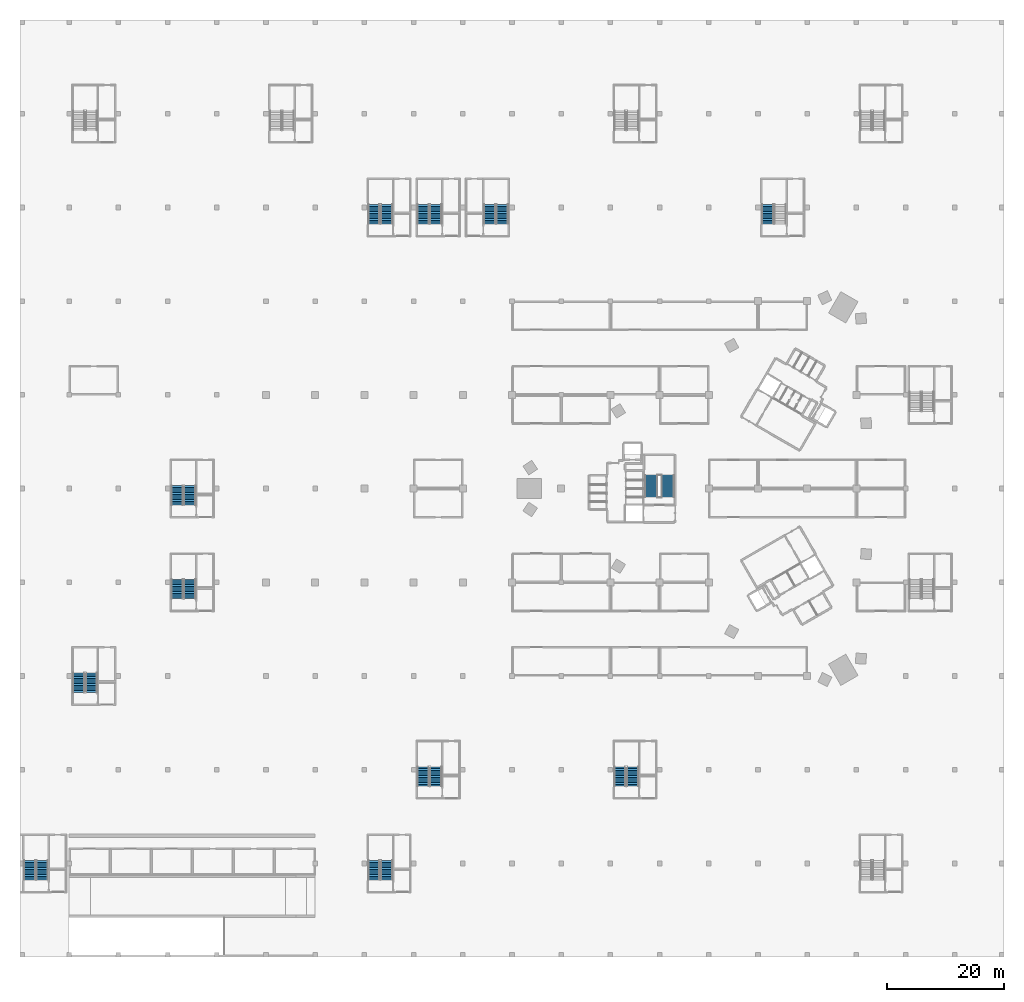
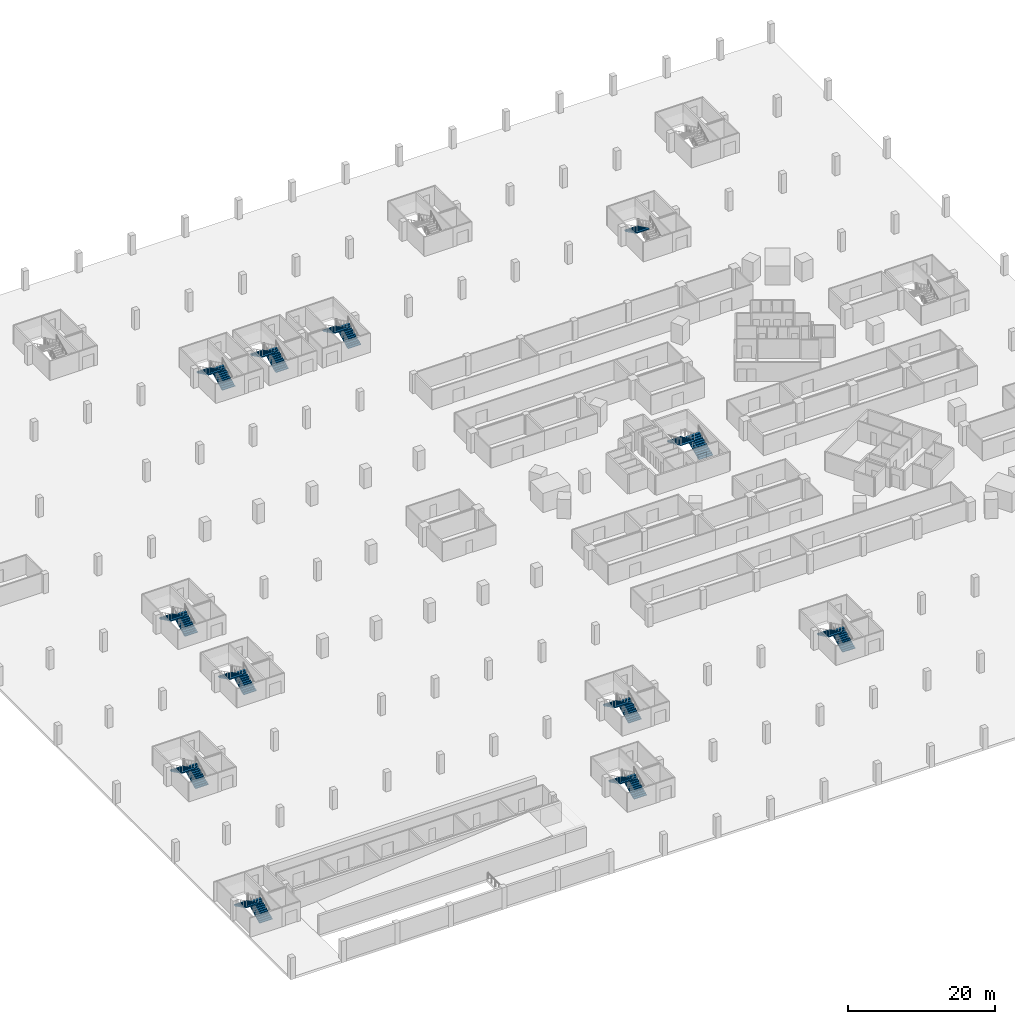
# One storey, part 17 of 37: 23 stair flights, 12 elements without a shape of their own.
"""IFC4 building model written with IfcOpenShell, lengths in metres."""

from ifc_helpers import new_model, si_unit, direction, frame, origin, place, context, subcontext, project, spatial, polyline, outline, extrude, material, layer, layer_set, type_object, element, aggregate, save


model = new_model("IFC4")

# Units and contexts
model_context = context("Model", 3, precision=1e-05, world=origin(), true_north=direction((0.0, 1.0)))
body_context = subcontext(model_context, "Body", "Model", "MODEL_VIEW")
ifc_project = project(units=[si_unit("LENGTHUNIT", "METRE"), si_unit("AREAUNIT", "SQUARE_METRE"), si_unit("VOLUMEUNIT", "CUBIC_METRE"), si_unit("PLANEANGLEUNIT", "RADIAN"), si_unit("MASSUNIT", "GRAM", prefix="KILO")], contexts=[model_context])

# Site, building, storey
site_placement = place(None, origin())
site = spatial("IfcSite", under=ifc_project, at=site_placement, CompositionType="ELEMENT")
building_placement = place(site_placement, origin())
building = spatial("IfcBuilding", under=site, at=building_placement, Name="Tamra Quay Hotel Tower", CompositionType="ELEMENT")
storey_placement = place(building_placement, frame((0.0, 0.0, -7.199951171875)))
storey = spatial("IfcBuildingStorey", under=building, at=storey_placement, Name="B2", CompositionType="ELEMENT", Elevation=-7.199951171875)

# Stair, stair flights
ifc_material_1 = material(Name="Basement exit stair")
stair_type_1 = type_object("IfcStairType", Name="Basement exit stair", PredefinedType="HALF_TURN_STAIR", material=ifc_material_1)
stair_1_placement = place(storey_placement, origin())
stair_1 = element("IfcStair", 1, at=stair_1_placement, inside=storey, type_object=stair_type_1, Name="B2 Basement Exit Stair BS1", PredefinedType="HALF_TURN_STAIR")
ifc_material_2 = material(Name="Concrete M60", Category="concrete")
ifc_layer = layer(ifc_material_2, 0.14990234375)
ifc_layer_set = layer_set([ifc_layer], Name="Concrete M60 basement stair flight 150")
stair_flight_type_1 = type_object("IfcStairFlightType", Name="Concrete M60 basement stair flight 150", PredefinedType="STRAIGHT", material=ifc_layer_set)
stair_flight_1_placement = place(storey_placement, frame((-110.5, -34.800048828125, 0.0), z_axis=(0.0, 0.0, 1.0), x_axis=(0.0, 1.0, 0.0)))
stair_flight_1 = element("IfcStairFlight", 2, at=stair_flight_1_placement, type_object=stair_flight_type_1, Name="BS1 flight 1", NumberOfRisers=12, NumberOfTreads=11, PredefinedType="STRAIGHT", RiserHeight=0.15, TreadLength=0.3, context=body_context, shape_type="SweptSolid", body=[
    extrude(outline(polyline([(0.0, 0.0), (0.0, 0.14990234375), (0.300048828125, 0.14990234375), (0.300048828125, 0.300048828125), (0.60009765625, 0.300048828125), (0.60009765625, 0.449951171875), (0.89990234375, 0.449951171875), (0.89990234375, 0.60009765625), (1.199951171875, 0.60009765625), (1.199951171875, 0.75), (1.5, 0.75), (1.5, 0.89990234375), (1.800048828125, 0.89990234375), (1.800048828125, 1.050048828125), (2.10009765625, 1.050048828125), (2.10009765625, 1.199951171875), (2.39990234375, 1.199951171875), (2.39990234375, 1.35009765625), (2.699951171875, 1.35009765625), (2.699951171875, 1.5), (3.0, 1.5), (3.0, 1.64990234375), (3.300048828125, 1.64990234375), (3.300048828125, 1.800048828125), (3.300048828125, 1.482421875), (0.335205078125, 0.0), (0.0, 0.0)])), frame((0.0, 1.0, 0.0), z_axis=(0.0, -1.0, 0.0), x_axis=(1.0, 0.0, 0.0)), (0.0, 0.0, 1.0), 2.0),
])
stair_flight_2_placement = place(storey_placement, frame((-112.64990234375, -31.5, 1.800048828125), z_axis=(0.0, 0.0, 1.0), x_axis=(0.0, -1.0, 0.0)))
stair_flight_2 = element("IfcStairFlight", 3, at=stair_flight_2_placement, type_object=stair_flight_type_1, Name="BS1 flight 2", NumberOfRisers=12, NumberOfTreads=11, PredefinedType="STRAIGHT", RiserHeight=0.15, TreadLength=0.3, context=body_context, shape_type="SweptSolid", body=[
    extrude(outline(polyline([(0.0, 0.0), (0.0, 0.14990234375), (0.300048828125, 0.14990234375), (0.300048828125, 0.300048828125), (0.60009765625, 0.300048828125), (0.60009765625, 0.449951171875), (0.89990234375, 0.449951171875), (0.89990234375, 0.60009765625), (1.199951171875, 0.60009765625), (1.199951171875, 0.75), (1.5, 0.75), (1.5, 0.89990234375), (1.800048828125, 0.89990234375), (1.800048828125, 1.050048828125), (2.10009765625, 1.050048828125), (2.10009765625, 1.199951171875), (2.39990234375, 1.199951171875), (2.39990234375, 1.35009765625), (2.699951171875, 1.35009765625), (2.699951171875, 1.5), (3.0, 1.5), (3.0, 1.64990234375), (3.300048828125, 1.64990234375), (3.300048828125, 1.800048828125), (3.300048828125, 1.482421875), (0.335205078125, 0.0), (0.0, 0.0)])), frame((0.0, 1.0, 0.0), z_axis=(0.0, -1.0, 0.0), x_axis=(1.0, 0.0, 0.0)), (0.0, 0.0, 1.0), 2.0),
])
aggregate(stair_1, [stair_flight_1, stair_flight_2])

stair_2_placement = place(storey_placement, origin())
stair_2 = element("IfcStair", 4, at=stair_2_placement, inside=storey, type_object=stair_type_1, Name="B2 Basement Exit Stair BS3", PredefinedType="HALF_TURN_STAIR")
stair_flight_3_placement = place(storey_placement, frame((-93.699951171875, -18.800048828125, 0.0), z_axis=(0.0, 0.0, 1.0), x_axis=(0.0, 1.0, 0.0)))
stair_flight_3 = element("IfcStairFlight", 5, at=stair_flight_3_placement, type_object=stair_flight_type_1, Name="BS3 flight 1", NumberOfRisers=12, NumberOfTreads=11, PredefinedType="STRAIGHT", RiserHeight=0.15, TreadLength=0.3, context=body_context, shape_type="SweptSolid", body=[
    extrude(outline(polyline([(0.0, 0.0), (0.0, 0.14990234375), (0.300048828125, 0.14990234375), (0.300048828125, 0.300048828125), (0.60009765625, 0.300048828125), (0.60009765625, 0.449951171875), (0.89990234375, 0.449951171875), (0.89990234375, 0.60009765625), (1.199951171875, 0.60009765625), (1.199951171875, 0.75), (1.5, 0.75), (1.5, 0.89990234375), (1.800048828125, 0.89990234375), (1.800048828125, 1.050048828125), (2.10009765625, 1.050048828125), (2.10009765625, 1.199951171875), (2.39990234375, 1.199951171875), (2.39990234375, 1.35009765625), (2.699951171875, 1.35009765625), (2.699951171875, 1.5), (3.0, 1.5), (3.0, 1.64990234375), (3.300048828125, 1.64990234375), (3.300048828125, 1.800048828125), (3.300048828125, 1.482421875), (0.335205078125, 0.0), (0.0, 0.0)])), frame((0.0, 1.0, 0.0), z_axis=(0.0, -1.0, 0.0), x_axis=(1.0, 0.0, 0.0)), (0.0, 0.0, 1.0), 2.0),
])
stair_flight_4_placement = place(storey_placement, frame((-95.85009765625, -15.5, 1.800048828125), z_axis=(0.0, 0.0, 1.0), x_axis=(0.0, -1.0, 0.0)))
stair_flight_4 = element("IfcStairFlight", 6, at=stair_flight_4_placement, type_object=stair_flight_type_1, Name="BS3 flight 2", NumberOfRisers=12, NumberOfTreads=11, PredefinedType="STRAIGHT", RiserHeight=0.15, TreadLength=0.3, context=body_context, shape_type="SweptSolid", body=[
    extrude(outline(polyline([(0.0, 0.0), (0.0, 0.14990234375), (0.300048828125, 0.14990234375), (0.300048828125, 0.300048828125), (0.60009765625, 0.300048828125), (0.60009765625, 0.449951171875), (0.89990234375, 0.449951171875), (0.89990234375, 0.60009765625), (1.199951171875, 0.60009765625), (1.199951171875, 0.75), (1.5, 0.75), (1.5, 0.89990234375), (1.800048828125, 0.89990234375), (1.800048828125, 1.050048828125), (2.10009765625, 1.050048828125), (2.10009765625, 1.199951171875), (2.39990234375, 1.199951171875), (2.39990234375, 1.35009765625), (2.699951171875, 1.35009765625), (2.699951171875, 1.5), (3.0, 1.5), (3.0, 1.64990234375), (3.300048828125, 1.64990234375), (3.300048828125, 1.800048828125), (3.300048828125, 1.482421875), (0.335205078125, 0.0), (0.0, 0.0)])), frame((0.0, 1.0, 0.0), z_axis=(0.0, -1.0, 0.0), x_axis=(1.0, 0.0, 0.0)), (0.0, 0.0, 1.0), 2.0),
])
aggregate(stair_2, [stair_flight_3, stair_flight_4])

stair_3_placement = place(storey_placement, origin())
stair_3 = element("IfcStair", 7, at=stair_3_placement, inside=storey, type_object=stair_type_1, Name="B2 Basement Exit Stair BS4", PredefinedType="HALF_TURN_STAIR")
stair_flight_5_placement = place(storey_placement, frame((-93.699951171875, -2.800048828125, 0.0), z_axis=(0.0, 0.0, 1.0), x_axis=(0.0, 1.0, 0.0)))
stair_flight_5 = element("IfcStairFlight", 8, at=stair_flight_5_placement, type_object=stair_flight_type_1, Name="BS4 flight 1", NumberOfRisers=12, NumberOfTreads=11, PredefinedType="STRAIGHT", RiserHeight=0.15, TreadLength=0.3, context=body_context, shape_type="SweptSolid", body=[
    extrude(outline(polyline([(0.0, 0.0), (0.0, 0.14990234375), (0.300048828125, 0.14990234375), (0.300048828125, 0.300048828125), (0.60009765625, 0.300048828125), (0.60009765625, 0.449951171875), (0.89990234375, 0.449951171875), (0.89990234375, 0.60009765625), (1.199951171875, 0.60009765625), (1.199951171875, 0.75), (1.5, 0.75), (1.5, 0.89990234375), (1.800048828125, 0.89990234375), (1.800048828125, 1.050048828125), (2.10009765625, 1.050048828125), (2.10009765625, 1.199951171875), (2.39990234375, 1.199951171875), (2.39990234375, 1.35009765625), (2.699951171875, 1.35009765625), (2.699951171875, 1.5), (3.0, 1.5), (3.0, 1.64990234375), (3.300048828125, 1.64990234375), (3.300048828125, 1.800048828125), (3.300048828125, 1.482421875), (0.335205078125, 0.0), (0.0, 0.0)])), frame((0.0, 1.0, 0.0), z_axis=(0.0, -1.0, 0.0), x_axis=(1.0, 0.0, 0.0)), (0.0, 0.0, 1.0), 2.0),
])
stair_flight_6_placement = place(storey_placement, frame((-95.85009765625, 0.5, 1.800048828125), z_axis=(0.0, 0.0, 1.0), x_axis=(0.0, -1.0, 0.0)))
stair_flight_6 = element("IfcStairFlight", 9, at=stair_flight_6_placement, type_object=stair_flight_type_1, Name="BS4 flight 2", NumberOfRisers=12, NumberOfTreads=11, PredefinedType="STRAIGHT", RiserHeight=0.15, TreadLength=0.3, context=body_context, shape_type="SweptSolid", body=[
    extrude(outline(polyline([(0.0, 0.0), (0.0, 0.14990234375), (0.300048828125, 0.14990234375), (0.300048828125, 0.300048828125), (0.60009765625, 0.300048828125), (0.60009765625, 0.449951171875), (0.89990234375, 0.449951171875), (0.89990234375, 0.60009765625), (1.199951171875, 0.60009765625), (1.199951171875, 0.75), (1.5, 0.75), (1.5, 0.89990234375), (1.800048828125, 0.89990234375), (1.800048828125, 1.050048828125), (2.10009765625, 1.050048828125), (2.10009765625, 1.199951171875), (2.39990234375, 1.199951171875), (2.39990234375, 1.35009765625), (2.699951171875, 1.35009765625), (2.699951171875, 1.5), (3.0, 1.5), (3.0, 1.64990234375), (3.300048828125, 1.64990234375), (3.300048828125, 1.800048828125), (3.300048828125, 1.482421875), (0.335205078125, 0.0), (0.0, 0.0)])), frame((0.0, 1.0, 0.0), z_axis=(0.0, -1.0, 0.0), x_axis=(1.0, 0.0, 0.0)), (0.0, 0.0, 1.0), 2.0),
])
aggregate(stair_3, [stair_flight_5, stair_flight_6])

stair_4_placement = place(storey_placement, origin())
stair_4 = element("IfcStair", 10, at=stair_4_placement, inside=storey, type_object=stair_type_1, Name="B2 Basement Exit Stair BS6", PredefinedType="HALF_TURN_STAIR")
stair_flight_7_placement = place(storey_placement, frame((-60.10009765625, -66.800048828125, 0.0), z_axis=(0.0, 0.0, 1.0), x_axis=(0.0, 1.0, 0.0)))
stair_flight_7 = element("IfcStairFlight", 11, at=stair_flight_7_placement, type_object=stair_flight_type_1, Name="BS6 flight 1", NumberOfRisers=12, NumberOfTreads=11, PredefinedType="STRAIGHT", RiserHeight=0.15, TreadLength=0.3, context=body_context, shape_type="SweptSolid", body=[
    extrude(outline(polyline([(0.0, 0.0), (0.0, 0.14990234375), (0.300048828125, 0.14990234375), (0.300048828125, 0.300048828125), (0.60009765625, 0.300048828125), (0.60009765625, 0.449951171875), (0.89990234375, 0.449951171875), (0.89990234375, 0.60009765625), (1.199951171875, 0.60009765625), (1.199951171875, 0.75), (1.5, 0.75), (1.5, 0.89990234375), (1.800048828125, 0.89990234375), (1.800048828125, 1.050048828125), (2.10009765625, 1.050048828125), (2.10009765625, 1.199951171875), (2.39990234375, 1.199951171875), (2.39990234375, 1.35009765625), (2.699951171875, 1.35009765625), (2.699951171875, 1.5), (3.0, 1.5), (3.0, 1.64990234375), (3.300048828125, 1.64990234375), (3.300048828125, 1.800048828125), (3.300048828125, 1.482421875), (0.335205078125, 0.0), (0.0, 0.0)])), frame((0.0, 1.0, 0.0), z_axis=(0.0, -1.0, 0.0), x_axis=(1.0, 0.0, 0.0)), (0.0, 0.0, 1.0), 2.0),
])
stair_flight_8_placement = place(storey_placement, frame((-62.25, -63.5, 1.800048828125), z_axis=(0.0, 0.0, 1.0), x_axis=(0.0, -1.0, 0.0)))
stair_flight_8 = element("IfcStairFlight", 12, at=stair_flight_8_placement, type_object=stair_flight_type_1, Name="BS6 flight 2", NumberOfRisers=12, NumberOfTreads=11, PredefinedType="STRAIGHT", RiserHeight=0.15, TreadLength=0.3, context=body_context, shape_type="SweptSolid", body=[
    extrude(outline(polyline([(0.0, 0.0), (0.0, 0.14990234375), (0.300048828125, 0.14990234375), (0.300048828125, 0.300048828125), (0.60009765625, 0.300048828125), (0.60009765625, 0.449951171875), (0.89990234375, 0.449951171875), (0.89990234375, 0.60009765625), (1.199951171875, 0.60009765625), (1.199951171875, 0.75), (1.5, 0.75), (1.5, 0.89990234375), (1.800048828125, 0.89990234375), (1.800048828125, 1.050048828125), (2.10009765625, 1.050048828125), (2.10009765625, 1.199951171875), (2.39990234375, 1.199951171875), (2.39990234375, 1.35009765625), (2.699951171875, 1.35009765625), (2.699951171875, 1.5), (3.0, 1.5), (3.0, 1.64990234375), (3.300048828125, 1.64990234375), (3.300048828125, 1.800048828125), (3.300048828125, 1.482421875), (0.335205078125, 0.0), (0.0, 0.0)])), frame((0.0, 1.0, 0.0), z_axis=(0.0, -1.0, 0.0), x_axis=(1.0, 0.0, 0.0)), (0.0, 0.0, 1.0), 2.0),
])
aggregate(stair_4, [stair_flight_7, stair_flight_8])

stair_5_placement = place(storey_placement, origin())
stair_5 = element("IfcStair", 13, at=stair_5_placement, inside=storey, type_object=stair_type_1, Name="B2 Basement Exit Stair BS7", PredefinedType="HALF_TURN_STAIR")
stair_flight_9_placement = place(storey_placement, frame((-60.10009765625, 45.199951171875, 0.0), z_axis=(0.0, 0.0, 1.0), x_axis=(0.0, 1.0, 0.0)))
stair_flight_9 = element("IfcStairFlight", 14, at=stair_flight_9_placement, type_object=stair_flight_type_1, Name="BS7 flight 1", NumberOfRisers=12, NumberOfTreads=11, PredefinedType="STRAIGHT", RiserHeight=0.15, TreadLength=0.3, context=body_context, shape_type="SweptSolid", body=[
    extrude(outline(polyline([(0.0, 0.0), (0.0, 0.14990234375), (0.300048828125, 0.14990234375), (0.300048828125, 0.300048828125), (0.60009765625, 0.300048828125), (0.60009765625, 0.449951171875), (0.89990234375, 0.449951171875), (0.89990234375, 0.60009765625), (1.199951171875, 0.60009765625), (1.199951171875, 0.75), (1.5, 0.75), (1.5, 0.89990234375), (1.800048828125, 0.89990234375), (1.800048828125, 1.050048828125), (2.10009765625, 1.050048828125), (2.10009765625, 1.199951171875), (2.39990234375, 1.199951171875), (2.39990234375, 1.35009765625), (2.699951171875, 1.35009765625), (2.699951171875, 1.5), (3.0, 1.5), (3.0, 1.64990234375), (3.300048828125, 1.64990234375), (3.300048828125, 1.800048828125), (3.300048828125, 1.482421875), (0.335205078125, 0.0), (0.0, 0.0)])), frame((0.0, 1.0, 0.0), z_axis=(0.0, -1.0, 0.0), x_axis=(1.0, 0.0, 0.0)), (0.0, 0.0, 1.0), 2.0),
])
stair_flight_10_placement = place(storey_placement, frame((-62.25, 48.5, 1.800048828125), z_axis=(0.0, 0.0, 1.0), x_axis=(0.0, -1.0, 0.0)))
stair_flight_10 = element("IfcStairFlight", 15, at=stair_flight_10_placement, type_object=stair_flight_type_1, Name="BS7 flight 2", NumberOfRisers=12, NumberOfTreads=11, PredefinedType="STRAIGHT", RiserHeight=0.15, TreadLength=0.3, context=body_context, shape_type="SweptSolid", body=[
    extrude(outline(polyline([(0.0, 0.0), (0.0, 0.14990234375), (0.300048828125, 0.14990234375), (0.300048828125, 0.300048828125), (0.60009765625, 0.300048828125), (0.60009765625, 0.449951171875), (0.89990234375, 0.449951171875), (0.89990234375, 0.60009765625), (1.199951171875, 0.60009765625), (1.199951171875, 0.75), (1.5, 0.75), (1.5, 0.89990234375), (1.800048828125, 0.89990234375), (1.800048828125, 1.050048828125), (2.10009765625, 1.050048828125), (2.10009765625, 1.199951171875), (2.39990234375, 1.199951171875), (2.39990234375, 1.35009765625), (2.699951171875, 1.35009765625), (2.699951171875, 1.5), (3.0, 1.5), (3.0, 1.64990234375), (3.300048828125, 1.64990234375), (3.300048828125, 1.800048828125), (3.300048828125, 1.482421875), (0.335205078125, 0.0), (0.0, 0.0)])), frame((0.0, 1.0, 0.0), z_axis=(0.0, -1.0, 0.0), x_axis=(1.0, 0.0, 0.0)), (0.0, 0.0, 1.0), 2.0),
])
aggregate(stair_5, [stair_flight_9, stair_flight_10])

stair_6_placement = place(storey_placement, origin())
stair_6 = element("IfcStair", 16, at=stair_6_placement, inside=storey, type_object=stair_type_1, Name="B2 Basement Exit Stair BS8", PredefinedType="HALF_TURN_STAIR")
stair_flight_11_placement = place(storey_placement, frame((-51.699951171875, -50.800048828125, 0.0), z_axis=(0.0, 0.0, 1.0), x_axis=(0.0, 1.0, 0.0)))
stair_flight_11 = element("IfcStairFlight", 17, at=stair_flight_11_placement, type_object=stair_flight_type_1, Name="BS8 flight 1", NumberOfRisers=12, NumberOfTreads=11, PredefinedType="STRAIGHT", RiserHeight=0.15, TreadLength=0.3, context=body_context, shape_type="SweptSolid", body=[
    extrude(outline(polyline([(0.0, 0.0), (0.0, 0.14990234375), (0.300048828125, 0.14990234375), (0.300048828125, 0.300048828125), (0.60009765625, 0.300048828125), (0.60009765625, 0.449951171875), (0.89990234375, 0.449951171875), (0.89990234375, 0.60009765625), (1.199951171875, 0.60009765625), (1.199951171875, 0.75), (1.5, 0.75), (1.5, 0.89990234375), (1.800048828125, 0.89990234375), (1.800048828125, 1.050048828125), (2.10009765625, 1.050048828125), (2.10009765625, 1.199951171875), (2.39990234375, 1.199951171875), (2.39990234375, 1.35009765625), (2.699951171875, 1.35009765625), (2.699951171875, 1.5), (3.0, 1.5), (3.0, 1.64990234375), (3.300048828125, 1.64990234375), (3.300048828125, 1.800048828125), (3.300048828125, 1.482421875), (0.335205078125, 0.0), (0.0, 0.0)])), frame((0.0, 1.0, 0.0), z_axis=(0.0, -1.0, 0.0), x_axis=(1.0, 0.0, 0.0)), (0.0, 0.0, 1.0), 2.0),
])
stair_flight_12_placement = place(storey_placement, frame((-53.85009765625, -47.5, 1.800048828125), z_axis=(0.0, 0.0, 1.0), x_axis=(0.0, -1.0, 0.0)))
stair_flight_12 = element("IfcStairFlight", 18, at=stair_flight_12_placement, type_object=stair_flight_type_1, Name="BS8 flight 2", NumberOfRisers=12, NumberOfTreads=11, PredefinedType="STRAIGHT", RiserHeight=0.15, TreadLength=0.3, context=body_context, shape_type="SweptSolid", body=[
    extrude(outline(polyline([(0.0, 0.0), (0.0, 0.14990234375), (0.300048828125, 0.14990234375), (0.300048828125, 0.300048828125), (0.60009765625, 0.300048828125), (0.60009765625, 0.449951171875), (0.89990234375, 0.449951171875), (0.89990234375, 0.60009765625), (1.199951171875, 0.60009765625), (1.199951171875, 0.75), (1.5, 0.75), (1.5, 0.89990234375), (1.800048828125, 0.89990234375), (1.800048828125, 1.050048828125), (2.10009765625, 1.050048828125), (2.10009765625, 1.199951171875), (2.39990234375, 1.199951171875), (2.39990234375, 1.35009765625), (2.699951171875, 1.35009765625), (2.699951171875, 1.5), (3.0, 1.5), (3.0, 1.64990234375), (3.300048828125, 1.64990234375), (3.300048828125, 1.800048828125), (3.300048828125, 1.482421875), (0.335205078125, 0.0), (0.0, 0.0)])), frame((0.0, 1.0, 0.0), z_axis=(0.0, -1.0, 0.0), x_axis=(1.0, 0.0, 0.0)), (0.0, 0.0, 1.0), 2.0),
])
aggregate(stair_6, [stair_flight_11, stair_flight_12])

stair_7_placement = place(storey_placement, origin())
stair_7 = element("IfcStair", 19, at=stair_7_placement, inside=storey, type_object=stair_type_1, Name="B2 Basement Exit Stair BS9", PredefinedType="HALF_TURN_STAIR")
stair_flight_13_placement = place(storey_placement, frame((-51.699951171875, 45.199951171875, 0.0), z_axis=(0.0, 0.0, 1.0), x_axis=(0.0, 1.0, 0.0)))
stair_flight_13 = element("IfcStairFlight", 20, at=stair_flight_13_placement, type_object=stair_flight_type_1, Name="BS9 flight 1", NumberOfRisers=12, NumberOfTreads=11, PredefinedType="STRAIGHT", RiserHeight=0.15, TreadLength=0.3, context=body_context, shape_type="SweptSolid", body=[
    extrude(outline(polyline([(0.0, 0.0), (0.0, 0.14990234375), (0.300048828125, 0.14990234375), (0.300048828125, 0.300048828125), (0.60009765625, 0.300048828125), (0.60009765625, 0.449951171875), (0.89990234375, 0.449951171875), (0.89990234375, 0.60009765625), (1.199951171875, 0.60009765625), (1.199951171875, 0.75), (1.5, 0.75), (1.5, 0.89990234375), (1.800048828125, 0.89990234375), (1.800048828125, 1.050048828125), (2.10009765625, 1.050048828125), (2.10009765625, 1.199951171875), (2.39990234375, 1.199951171875), (2.39990234375, 1.35009765625), (2.699951171875, 1.35009765625), (2.699951171875, 1.5), (3.0, 1.5), (3.0, 1.64990234375), (3.300048828125, 1.64990234375), (3.300048828125, 1.800048828125), (3.300048828125, 1.482421875), (0.335205078125, 0.0), (0.0, 0.0)])), frame((0.0, 1.0, 0.0), z_axis=(0.0, -1.0, 0.0), x_axis=(1.0, 0.0, 0.0)), (0.0, 0.0, 1.0), 2.0),
])
stair_flight_14_placement = place(storey_placement, frame((-53.85009765625, 48.5, 1.800048828125), z_axis=(0.0, 0.0, 1.0), x_axis=(0.0, -1.0, 0.0)))
stair_flight_14 = element("IfcStairFlight", 21, at=stair_flight_14_placement, type_object=stair_flight_type_1, Name="BS9 flight 2", NumberOfRisers=12, NumberOfTreads=11, PredefinedType="STRAIGHT", RiserHeight=0.15, TreadLength=0.3, context=body_context, shape_type="SweptSolid", body=[
    extrude(outline(polyline([(0.0, 0.0), (0.0, 0.14990234375), (0.300048828125, 0.14990234375), (0.300048828125, 0.300048828125), (0.60009765625, 0.300048828125), (0.60009765625, 0.449951171875), (0.89990234375, 0.449951171875), (0.89990234375, 0.60009765625), (1.199951171875, 0.60009765625), (1.199951171875, 0.75), (1.5, 0.75), (1.5, 0.89990234375), (1.800048828125, 0.89990234375), (1.800048828125, 1.050048828125), (2.10009765625, 1.050048828125), (2.10009765625, 1.199951171875), (2.39990234375, 1.199951171875), (2.39990234375, 1.35009765625), (2.699951171875, 1.35009765625), (2.699951171875, 1.5), (3.0, 1.5), (3.0, 1.64990234375), (3.300048828125, 1.64990234375), (3.300048828125, 1.800048828125), (3.300048828125, 1.482421875), (0.335205078125, 0.0), (0.0, 0.0)])), frame((0.0, 1.0, 0.0), z_axis=(0.0, -1.0, 0.0), x_axis=(1.0, 0.0, 0.0)), (0.0, 0.0, 1.0), 2.0),
])
aggregate(stair_7, [stair_flight_13, stair_flight_14])

stair_8_placement = place(storey_placement, origin())
stair_8 = element("IfcStair", 22, at=stair_8_placement, inside=storey, type_object=stair_type_1, Name="B2 Basement Exit Stair BS10", PredefinedType="HALF_TURN_STAIR")
stair_flight_15_placement = place(storey_placement, frame((-18.10009765625, -50.800048828125, 0.0), z_axis=(0.0, 0.0, 1.0), x_axis=(0.0, 1.0, 0.0)))
stair_flight_15 = element("IfcStairFlight", 23, at=stair_flight_15_placement, type_object=stair_flight_type_1, Name="BS10 flight 1", NumberOfRisers=12, NumberOfTreads=11, PredefinedType="STRAIGHT", RiserHeight=0.15, TreadLength=0.3, context=body_context, shape_type="SweptSolid", body=[
    extrude(outline(polyline([(0.0, 0.0), (0.0, 0.14990234375), (0.300048828125, 0.14990234375), (0.300048828125, 0.300048828125), (0.60009765625, 0.300048828125), (0.60009765625, 0.449951171875), (0.89990234375, 0.449951171875), (0.89990234375, 0.60009765625), (1.199951171875, 0.60009765625), (1.199951171875, 0.75), (1.5, 0.75), (1.5, 0.89990234375), (1.800048828125, 0.89990234375), (1.800048828125, 1.050048828125), (2.10009765625, 1.050048828125), (2.10009765625, 1.199951171875), (2.39990234375, 1.199951171875), (2.39990234375, 1.35009765625), (2.699951171875, 1.35009765625), (2.699951171875, 1.5), (3.0, 1.5), (3.0, 1.64990234375), (3.300048828125, 1.64990234375), (3.300048828125, 1.800048828125), (3.300048828125, 1.482421875), (0.335205078125, 0.0), (0.0, 0.0)])), frame((0.0, 1.0, 0.0), z_axis=(0.0, -1.0, 0.0), x_axis=(1.0, 0.0, 0.0)), (0.0, 0.0, 1.0), 2.0),
])
stair_flight_16_placement = place(storey_placement, frame((-20.25, -47.5, 1.800048828125), z_axis=(0.0, 0.0, 1.0), x_axis=(0.0, -1.0, 0.0)))
stair_flight_16 = element("IfcStairFlight", 24, at=stair_flight_16_placement, type_object=stair_flight_type_1, Name="BS10 flight 2", NumberOfRisers=12, NumberOfTreads=11, PredefinedType="STRAIGHT", RiserHeight=0.15, TreadLength=0.3, context=body_context, shape_type="SweptSolid", body=[
    extrude(outline(polyline([(0.0, 0.0), (0.0, 0.14990234375), (0.300048828125, 0.14990234375), (0.300048828125, 0.300048828125), (0.60009765625, 0.300048828125), (0.60009765625, 0.449951171875), (0.89990234375, 0.449951171875), (0.89990234375, 0.60009765625), (1.199951171875, 0.60009765625), (1.199951171875, 0.75), (1.5, 0.75), (1.5, 0.89990234375), (1.800048828125, 0.89990234375), (1.800048828125, 1.050048828125), (2.10009765625, 1.050048828125), (2.10009765625, 1.199951171875), (2.39990234375, 1.199951171875), (2.39990234375, 1.35009765625), (2.699951171875, 1.35009765625), (2.699951171875, 1.5), (3.0, 1.5), (3.0, 1.64990234375), (3.300048828125, 1.64990234375), (3.300048828125, 1.800048828125), (3.300048828125, 1.482421875), (0.335205078125, 0.0), (0.0, 0.0)])), frame((0.0, 1.0, 0.0), z_axis=(0.0, -1.0, 0.0), x_axis=(1.0, 0.0, 0.0)), (0.0, 0.0, 1.0), 2.0),
])
aggregate(stair_8, [stair_flight_15, stair_flight_16])

# Stair, stair flight
stair_9_placement = place(storey_placement, origin())
stair_9 = element("IfcStair", 25, at=stair_9_placement, inside=storey, type_object=stair_type_1, Name="B2 Basement Exit Stair BS12", PredefinedType="HALF_TURN_STAIR")
stair_flight_17_placement = place(storey_placement, frame((4.949951171875, 48.5, 1.800048828125), z_axis=(0.0, 0.0, 1.0), x_axis=(0.0, -1.0, 0.0)))
stair_flight_17 = element("IfcStairFlight", 26, at=stair_flight_17_placement, type_object=stair_flight_type_1, Name="BS12 flight 2", NumberOfRisers=12, NumberOfTreads=11, PredefinedType="STRAIGHT", RiserHeight=0.15, TreadLength=0.3, context=body_context, shape_type="SweptSolid", body=[
    extrude(outline(polyline([(0.0, 0.0), (0.0, 0.14990234375), (0.300048828125, 0.14990234375), (0.300048828125, 0.300048828125), (0.60009765625, 0.300048828125), (0.60009765625, 0.449951171875), (0.89990234375, 0.449951171875), (0.89990234375, 0.60009765625), (1.199951171875, 0.60009765625), (1.199951171875, 0.75), (1.5, 0.75), (1.5, 0.89990234375), (1.800048828125, 0.89990234375), (1.800048828125, 1.050048828125), (2.10009765625, 1.050048828125), (2.10009765625, 1.199951171875), (2.39990234375, 1.199951171875), (2.39990234375, 1.35009765625), (2.699951171875, 1.35009765625), (2.699951171875, 1.5), (3.0, 1.5), (3.0, 1.64990234375), (3.300048828125, 1.64990234375), (3.300048828125, 1.800048828125), (3.300048828125, 1.482421875), (0.335205078125, 0.0), (0.0, 0.0)])), frame((0.0, 1.0, 0.0), z_axis=(0.0, -1.0, 0.0), x_axis=(1.0, 0.0, 0.0)), (0.0, 0.0, 1.0), 2.0),
])
aggregate(stair_9, [stair_flight_17])

# Stair, stair flights
stair_10_placement = place(storey_placement, origin())
stair_10 = element("IfcStair", 27, at=stair_10_placement, inside=storey, type_object=stair_type_1, Name="B2 Basement Exit Stair BS17", PredefinedType="HALF_TURN_STAIR")
stair_flight_18_placement = place(storey_placement, frame((-40.35009765625, 45.199951171875, 0.0), z_axis=(0.0, 0.0, 1.0), x_axis=(0.0, 1.0, 0.0)))
stair_flight_18 = element("IfcStairFlight", 28, at=stair_flight_18_placement, type_object=stair_flight_type_1, Name="BS17 flight 1", NumberOfRisers=12, NumberOfTreads=11, PredefinedType="STRAIGHT", RiserHeight=0.15, TreadLength=0.3, context=body_context, shape_type="SweptSolid", body=[
    extrude(outline(polyline([(0.0, 0.0), (0.0, 0.14990234375), (0.300048828125, 0.14990234375), (0.300048828125, 0.300048828125), (0.60009765625, 0.300048828125), (0.60009765625, 0.449951171875), (0.89990234375, 0.449951171875), (0.89990234375, 0.60009765625), (1.199951171875, 0.60009765625), (1.199951171875, 0.75), (1.5, 0.75), (1.5, 0.89990234375), (1.800048828125, 0.89990234375), (1.800048828125, 1.050048828125), (2.10009765625, 1.050048828125), (2.10009765625, 1.199951171875), (2.39990234375, 1.199951171875), (2.39990234375, 1.35009765625), (2.699951171875, 1.35009765625), (2.699951171875, 1.5), (3.0, 1.5), (3.0, 1.64990234375), (3.300048828125, 1.64990234375), (3.300048828125, 1.800048828125), (3.300048828125, 1.482421875), (0.335205078125, 0.0), (0.0, 0.0)])), frame((0.0, 1.0, 0.0), z_axis=(0.0, -1.0, 0.0), x_axis=(1.0, 0.0, 0.0)), (0.0, 0.0, 1.0), 2.0),
])
stair_flight_19_placement = place(storey_placement, frame((-42.5, 48.5, 1.800048828125), z_axis=(0.0, 0.0, 1.0), x_axis=(0.0, -1.0, 0.0)))
stair_flight_19 = element("IfcStairFlight", 29, at=stair_flight_19_placement, type_object=stair_flight_type_1, Name="BS17 flight 2", NumberOfRisers=12, NumberOfTreads=11, PredefinedType="STRAIGHT", RiserHeight=0.15, TreadLength=0.3, context=body_context, shape_type="SweptSolid", body=[
    extrude(outline(polyline([(0.0, 0.0), (0.0, 0.14990234375), (0.300048828125, 0.14990234375), (0.300048828125, 0.300048828125), (0.60009765625, 0.300048828125), (0.60009765625, 0.449951171875), (0.89990234375, 0.449951171875), (0.89990234375, 0.60009765625), (1.199951171875, 0.60009765625), (1.199951171875, 0.75), (1.5, 0.75), (1.5, 0.89990234375), (1.800048828125, 0.89990234375), (1.800048828125, 1.050048828125), (2.10009765625, 1.050048828125), (2.10009765625, 1.199951171875), (2.39990234375, 1.199951171875), (2.39990234375, 1.35009765625), (2.699951171875, 1.35009765625), (2.699951171875, 1.5), (3.0, 1.5), (3.0, 1.64990234375), (3.300048828125, 1.64990234375), (3.300048828125, 1.800048828125), (3.300048828125, 1.482421875), (0.335205078125, 0.0), (0.0, 0.0)])), frame((0.0, 1.0, 0.0), z_axis=(0.0, -1.0, 0.0), x_axis=(1.0, 0.0, 0.0)), (0.0, 0.0, 1.0), 2.0),
])
aggregate(stair_10, [stair_flight_18, stair_flight_19])

stair_11_placement = place(storey_placement, origin())
stair_11 = element("IfcStair", 30, at=stair_11_placement, inside=storey, type_object=stair_type_1, Name="B2 Basement Exit Stair BS18", PredefinedType="HALF_TURN_STAIR")
stair_flight_20_placement = place(storey_placement, frame((-118.89990234375, -66.800048828125, 0.0), z_axis=(0.0, 0.0, 1.0), x_axis=(0.0, 1.0, 0.0)))
stair_flight_20 = element("IfcStairFlight", 31, at=stair_flight_20_placement, type_object=stair_flight_type_1, Name="BS18 flight 1", NumberOfRisers=12, NumberOfTreads=11, PredefinedType="STRAIGHT", RiserHeight=0.15, TreadLength=0.3, context=body_context, shape_type="SweptSolid", body=[
    extrude(outline(polyline([(0.0, 0.0), (0.0, 0.14990234375), (0.300048828125, 0.14990234375), (0.300048828125, 0.300048828125), (0.60009765625, 0.300048828125), (0.60009765625, 0.449951171875), (0.89990234375, 0.449951171875), (0.89990234375, 0.60009765625), (1.199951171875, 0.60009765625), (1.199951171875, 0.75), (1.5, 0.75), (1.5, 0.89990234375), (1.800048828125, 0.89990234375), (1.800048828125, 1.050048828125), (2.10009765625, 1.050048828125), (2.10009765625, 1.199951171875), (2.39990234375, 1.199951171875), (2.39990234375, 1.35009765625), (2.699951171875, 1.35009765625), (2.699951171875, 1.5), (3.0, 1.5), (3.0, 1.64990234375), (3.300048828125, 1.64990234375), (3.300048828125, 1.800048828125), (3.300048828125, 1.482421875), (0.335205078125, 0.0), (0.0, 0.0)])), frame((0.0, 1.0, 0.0), z_axis=(0.0, -1.0, 0.0), x_axis=(1.0, 0.0, 0.0)), (0.0, 0.0, 1.0), 2.0),
])
stair_flight_21_placement = place(storey_placement, frame((-121.050048828125, -63.5, 1.800048828125), z_axis=(0.0, 0.0, 1.0), x_axis=(0.0, -1.0, 0.0)))
stair_flight_21 = element("IfcStairFlight", 32, at=stair_flight_21_placement, type_object=stair_flight_type_1, Name="BS18 flight 2", NumberOfRisers=12, NumberOfTreads=11, PredefinedType="STRAIGHT", RiserHeight=0.15, TreadLength=0.3, context=body_context, shape_type="SweptSolid", body=[
    extrude(outline(polyline([(0.0, 0.0), (0.0, 0.14990234375), (0.300048828125, 0.14990234375), (0.300048828125, 0.300048828125), (0.60009765625, 0.300048828125), (0.60009765625, 0.449951171875), (0.89990234375, 0.449951171875), (0.89990234375, 0.60009765625), (1.199951171875, 0.60009765625), (1.199951171875, 0.75), (1.5, 0.75), (1.5, 0.89990234375), (1.800048828125, 0.89990234375), (1.800048828125, 1.050048828125), (2.10009765625, 1.050048828125), (2.10009765625, 1.199951171875), (2.39990234375, 1.199951171875), (2.39990234375, 1.35009765625), (2.699951171875, 1.35009765625), (2.699951171875, 1.5), (3.0, 1.5), (3.0, 1.64990234375), (3.300048828125, 1.64990234375), (3.300048828125, 1.800048828125), (3.300048828125, 1.482421875), (0.335205078125, 0.0), (0.0, 0.0)])), frame((0.0, 1.0, 0.0), z_axis=(0.0, -1.0, 0.0), x_axis=(1.0, 0.0, 0.0)), (0.0, 0.0, 1.0), 2.0),
])
aggregate(stair_11, [stair_flight_20, stair_flight_21])

ifc_material_3 = material(Name="Exit stair 2200 24 risers 150.0 going 342")
stair_type_2 = type_object("IfcStairType", Name="Exit stair 2200 24 risers 150.0 going 342", PredefinedType="HALF_TURN_STAIR", material=ifc_material_3)
stair_12_placement = place(storey_placement, origin())
stair_12 = element("IfcStair", 33, at=stair_12_placement, inside=storey, type_object=stair_type_2, Name="B2 Exit stair ST3", PredefinedType="HALF_TURN_STAIR")
ifc_material_4 = material(Name="Exit stair flight 2200 12 risers 150.0")
stair_flight_type_2 = type_object("IfcStairFlightType", Name="Exit stair flight 2200 12 risers 150.0", PredefinedType="STRAIGHT", material=ifc_material_4)
stair_flight_22_placement = place(storey_placement, frame((-12.082275390625, -1.47998046875, 0.0), z_axis=(0.0, 0.0, 1.0), x_axis=(0.0, 1.0, 0.0)))
stair_flight_22 = element("IfcStairFlight", 34, at=stair_flight_22_placement, type_object=stair_flight_type_2, Name="ST3 flight 1", NumberOfRisers=12, NumberOfTreads=11, PredefinedType="STRAIGHT", RiserHeight=0.15, TreadLength=0.342, context=body_context, shape_type="SweptSolid", body=[
    extrude(outline(polyline([(0.0, 0.0), (0.0, 0.14990234375), (0.342041015625, 0.14990234375), (0.342041015625, 0.300048828125), (0.68408203125, 0.300048828125), (0.68408203125, 0.449951171875), (1.02587890625, 0.449951171875), (1.02587890625, 0.60009765625), (1.367919921875, 0.60009765625), (1.367919921875, 0.75), (1.7099609375, 0.75), (1.7099609375, 0.89990234375), (2.052001953125, 0.89990234375), (2.052001953125, 1.050048828125), (2.39404296875, 1.050048828125), (2.39404296875, 1.199951171875), (2.736083984375, 1.199951171875), (2.736083984375, 1.35009765625), (3.077880859375, 1.35009765625), (3.077880859375, 1.5), (3.419921875, 1.5), (3.419921875, 1.64990234375), (3.761962890625, 1.64990234375), (3.761962890625, 1.800048828125), (3.761962890625, 1.540771484375), (0.249267578125, 0.0), (0.0, 0.0)])), frame((0.0, 1.10009765625, 0.0), z_axis=(0.0, -1.0, 0.0), x_axis=(1.0, 0.0, 0.0)), (0.0, 0.0, 1.0), 2.199951171875),
])
stair_flight_23_placement = place(storey_placement, frame((-14.94140625, 2.281982421875, 1.800048828125), z_axis=(0.0, 0.0, 1.0), x_axis=(0.0, -1.0, 0.0)))
stair_flight_23 = element("IfcStairFlight", 35, at=stair_flight_23_placement, type_object=stair_flight_type_2, Name="ST3 flight 2", NumberOfRisers=12, NumberOfTreads=11, PredefinedType="STRAIGHT", RiserHeight=0.15, TreadLength=0.342, context=body_context, shape_type="SweptSolid", body=[
    extrude(outline(polyline([(0.0, 0.0), (0.0, 0.14990234375), (0.342041015625, 0.14990234375), (0.342041015625, 0.300048828125), (0.68408203125, 0.300048828125), (0.68408203125, 0.449951171875), (1.02587890625, 0.449951171875), (1.02587890625, 0.60009765625), (1.367919921875, 0.60009765625), (1.367919921875, 0.75), (1.7099609375, 0.75), (1.7099609375, 0.89990234375), (2.052001953125, 0.89990234375), (2.052001953125, 1.050048828125), (2.39404296875, 1.050048828125), (2.39404296875, 1.199951171875), (2.736083984375, 1.199951171875), (2.736083984375, 1.35009765625), (3.077880859375, 1.35009765625), (3.077880859375, 1.5), (3.419921875, 1.5), (3.419921875, 1.64990234375), (3.761962890625, 1.64990234375), (3.761962890625, 1.800048828125), (3.761962890625, 1.540771484375), (0.249267578125, 0.0), (0.0, 0.0)])), frame((0.0, 1.10009765625, 0.0), z_axis=(0.0, -1.0, 0.0), x_axis=(1.0, 0.0, 0.0)), (0.0, 0.0, 1.0), 2.199951171875),
])
aggregate(stair_12, [stair_flight_22, stair_flight_23])

save(model, "model.ifc")
